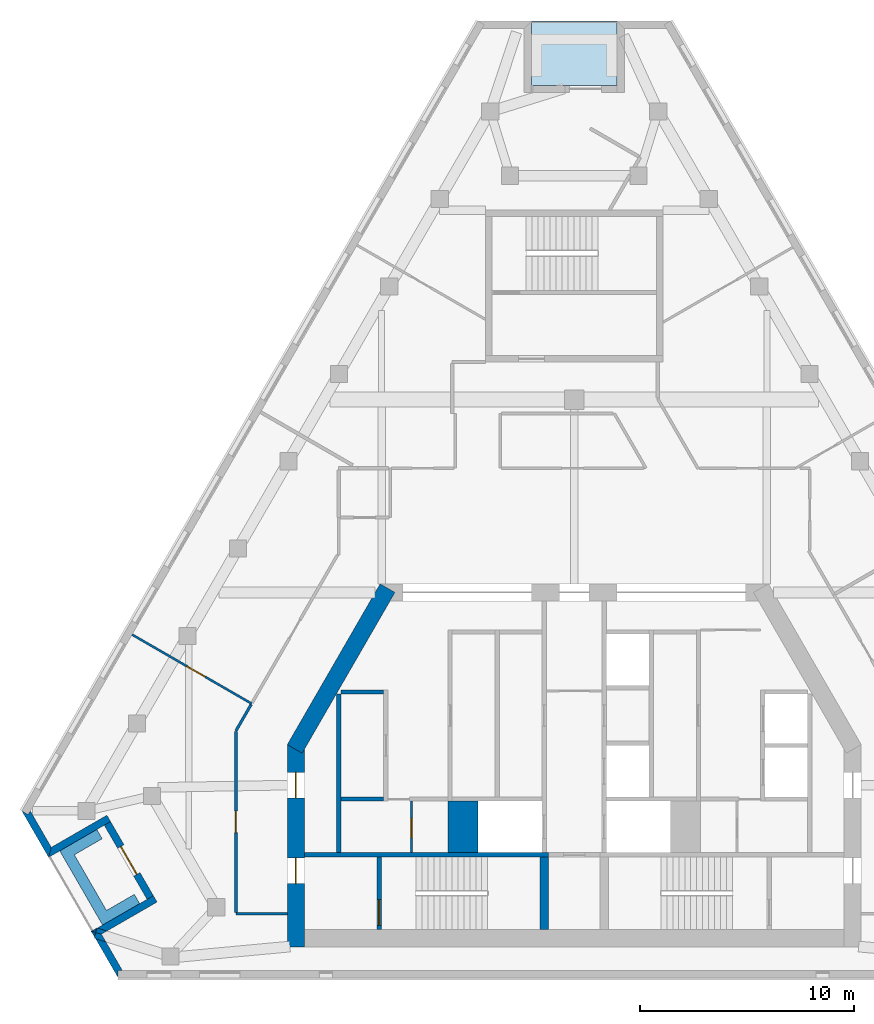
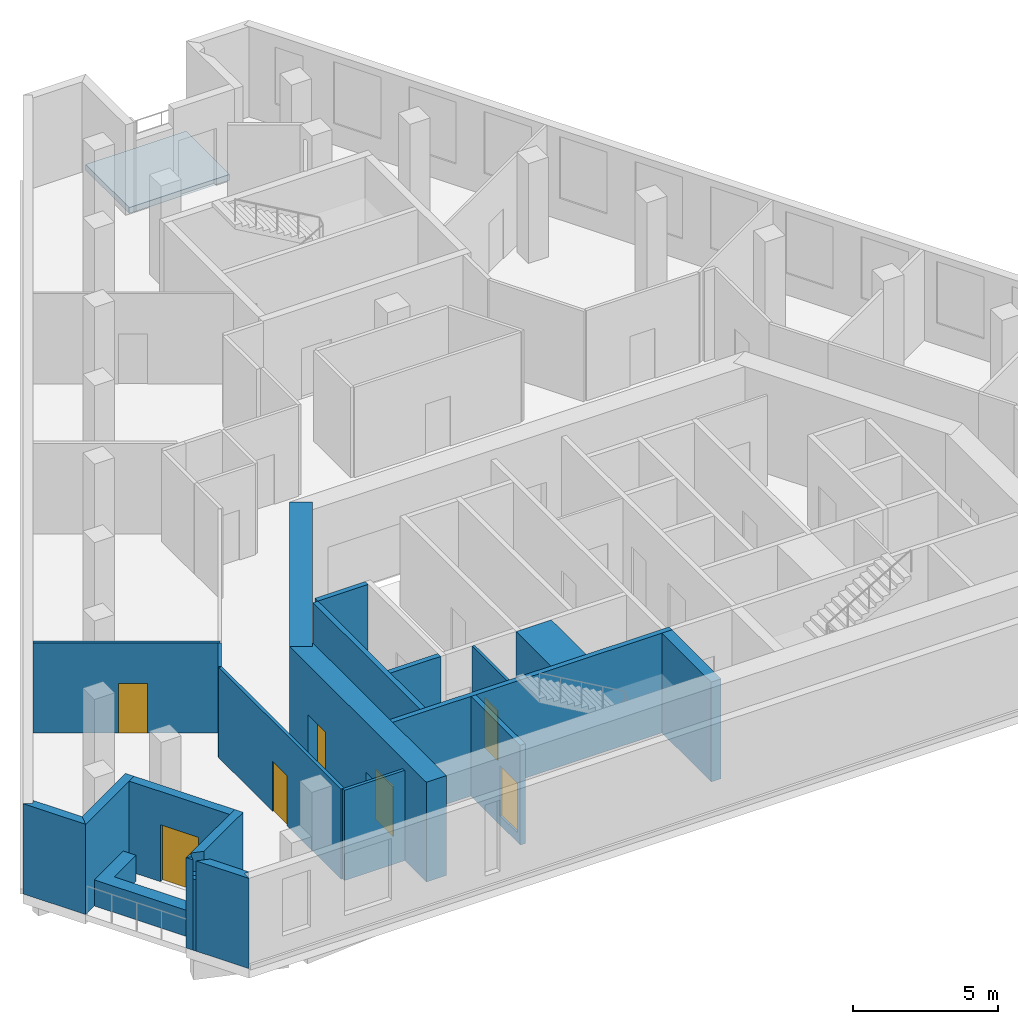
# One storey, part 2 of 8: 24 walls, 7 doors, 1 slab, 7 openings.
"""IFC4 building model written with IfcOpenShell, lengths in metres."""

import ifcopenshell
import ifcopenshell.guid

model = None  # the IFC model being written
_history = None  # IfcOwnerHistory: only IFC2X3 demands one
_inside = {}  # id of a spatial element -> (the spatial element, [elements in it])
_under = {}  # id of a project, library or spatial element -> (it, [spatial elements below it])
_declared = {}  # id of a project -> (the project, [libraries it declares])
_typed = {}  # id of a type object -> (the type object, [elements of that type])
_made_of = {}  # id of a material, layer set ... -> (it, [elements and type objects made of it])


def new_model(schema):
    """Start an empty IFC model of exactly this schema.

    Asked for "IFC4X3", IfcOpenShell would pick the latest addendum, in which some entities
    have other attributes; the version numbers below select the first issue.
    IFC2X3 requires an IfcOwnerHistory on every rooted entity: one is made here for all.
    """
    global model, _history
    if schema == "IFC4X3":
        model = ifcopenshell.file(schema_version=(4, 3, 0, 0))
    else:
        model = ifcopenshell.file(schema=schema)
    _inside.clear()
    _under.clear()
    _declared.clear()
    _typed.clear()
    _made_of.clear()
    _history = None
    if model.schema == "IFC2X3":
        org = make("IfcOrganization", Name="unknown")
        user = make(
            "IfcPersonAndOrganization",
            ThePerson=make("IfcPerson", FamilyName="unknown"),
            TheOrganization=org,
        )
        app = make(
            "IfcApplication",
            ApplicationDeveloper=org,
            Version="unknown",
            ApplicationFullName="unknown",
            ApplicationIdentifier="unknown",
        )
        _history = make(
            "IfcOwnerHistory",
            OwningUser=user,
            OwningApplication=app,
            ChangeAction="ADDED",
            CreationDate=0,
        )
    return model


def make(cls, **values):
    """One entity of the class cls with the attributes given. An attribute that is None is left unset."""
    return model.create_entity(
        cls, **{name: value for name, value in values.items() if value is not None}
    )


def rooted(cls, **values):
    """An entity with a GlobalId (a new one), such as an element, a storey or a relation."""
    return make(cls, GlobalId=ifcopenshell.guid.new(), OwnerHistory=_history, **values)


def si_unit(unit_type, name, prefix=None):
    """IfcSIUnit, for example si_unit("LENGTHUNIT", "METRE", prefix="MILLI")."""
    return make("IfcSIUnit", UnitType=unit_type, Prefix=prefix, Name=name)


def assignment(units):
    """IfcUnitAssignment: the units of a project."""
    return None if units is None else make("IfcUnitAssignment", Units=units)


def point(xyz):
    """IfcCartesianPoint."""
    return None if xyz is None else make("IfcCartesianPoint", Coordinates=xyz)


def direction(xyz):
    """IfcDirection."""
    return None if xyz is None else make("IfcDirection", DirectionRatios=xyz)


def frame(location, z_axis=None, x_axis=None):
    """IfcAxis2Placement3D, a coordinate frame: its origin and axes. An axis left out is left unset."""
    return make(
        "IfcAxis2Placement3D",
        Location=point(location),
        Axis=direction(z_axis),
        RefDirection=direction(x_axis),
    )


def frame_2d(location, x_axis=None):
    """IfcAxis2Placement2D, a coordinate frame in the plane: its origin and x axis."""
    return make(
        "IfcAxis2Placement2D", Location=point(location), RefDirection=direction(x_axis)
    )


def origin():
    """The frame at (0, 0, 0) with its axes left unset."""
    return frame((0.0, 0.0, 0.0))


def place(relative_to, where):
    """IfcLocalPlacement: puts the frame where relative to a parent placement (None: the world)."""
    return make(
        "IfcLocalPlacement", PlacementRelTo=relative_to, RelativePlacement=where
    )


def context(
    kind, dimensions, precision=None, world=None, true_north=None, identifier=None
):
    """IfcGeometricRepresentationContext, for example the 3D "Model" context."""
    return make(
        "IfcGeometricRepresentationContext",
        ContextIdentifier=identifier,
        ContextType=kind,
        CoordinateSpaceDimension=dimensions,
        Precision=precision,
        WorldCoordinateSystem=world,
        TrueNorth=true_north,
    )


def subcontext(parent, identifier, kind, view, scale=None):
    """IfcGeometricRepresentationSubContext, for example "Body" below "Model"."""
    return make(
        "IfcGeometricRepresentationSubContext",
        ContextIdentifier=identifier,
        ContextType=kind,
        ParentContext=parent,
        TargetScale=scale,
        TargetView=view,
    )


def project(units=None, contexts=None):
    """IfcProject with its units and contexts."""
    return rooted(
        "IfcProject",
        Name="project",
        RepresentationContexts=contexts,
        UnitsInContext=assignment(units),
    )


def spatial(cls, under=None, at=None, **own):
    """A site, building, storey or space (cls), placed at a placement, below another one or the project."""
    s = rooted(cls, ObjectPlacement=at, **own)
    if under is not None:
        _under.setdefault(under.id(), (under, []))[1].append(s)
    return s


def polyline(points):
    """IfcPolyline through the points."""
    return make("IfcPolyline", Points=[point(p) for p in points])


def profile(cls, at=None, kind="AREA", **sizes):
    """A parametric profile (cls). Its sizes go by their IFC names, for example OverallWidth=200.0."""
    return make(cls, ProfileType=kind, Position=at, **sizes)


def rectangle(**sizes):
    """IfcRectangleProfileDef."""
    return profile("IfcRectangleProfileDef", **sizes)


def outline(outer, holes=None, kind="AREA"):
    """IfcArbitraryClosedProfileDef: a profile drawn as a closed curve; with holes, ...WithVoids."""
    if holes is None:
        return make("IfcArbitraryClosedProfileDef", ProfileType=kind, OuterCurve=outer)
    return make(
        "IfcArbitraryProfileDefWithVoids",
        ProfileType=kind,
        OuterCurve=outer,
        InnerCurves=holes,
    )


def extrude(swept, where, along, depth):
    """IfcExtrudedAreaSolid: the profile swept, set in the frame where, extruded along a direction by depth."""
    return make(
        "IfcExtrudedAreaSolid",
        SweptArea=swept,
        Position=where,
        ExtrudedDirection=direction(along),
        Depth=depth,
    )


def shape(context_of_items, identifier, shape_type, items):
    """IfcShapeRepresentation: the items that make up one representation, for example the "Body"."""
    return make(
        "IfcShapeRepresentation",
        ContextOfItems=context_of_items,
        RepresentationIdentifier=identifier,
        RepresentationType=shape_type,
        Items=items,
    )


def material(Name=None, Category=None):
    """IfcMaterial."""
    return make("IfcMaterial", Name=Name, Category=Category)


def layer(
    of_material, thickness, ventilated=None, Name=None, Category=None, Priority=None
):
    """IfcMaterialLayer: one layer of a wall or slab, of a material (None: an air gap)."""
    return make(
        "IfcMaterialLayer",
        Material=of_material,
        LayerThickness=thickness,
        IsVentilated=ventilated,
        Name=Name,
        Category=Category,
        Priority=Priority,
    )


def layer_set(layers, Name=None):
    """IfcMaterialLayerSet."""
    return make("IfcMaterialLayerSet", MaterialLayers=layers, LayerSetName=Name)


def made_of(thing, what):
    """Note that an element or type object is made of a material, layer set ...; save() writes the relation."""
    if what is not None:
        _made_of.setdefault(what.id(), (what, []))[1].append(thing)
    return thing


def type_object(cls, material=None, **own):
    """A type object (cls), such as IfcWallType, which elements share."""
    return made_of(rooted(cls, **own), material)


def element(
    cls,
    number,
    at=None,
    inside=None,
    cuts=None,
    type_object=None,
    material=None,
    context=None,
    identifier="Body",
    shape_type=None,
    held_by="IfcProductDefinitionShape",
    body=None,
    shapes=None,
    **own,
):
    """One element of the class cls, such as IfcWall. Its Tag is "e" and its number.

    at: its placement. inside: the storey or other place that contains it. cuts: it is an
    opening in that element (IfcRelVoidsElement). A single representation is given by context,
    identifier, shape_type and body (its items); several are given by shapes. held_by: the class
    of the entity that holds the representations. save() writes the other relations.
    """
    e = rooted(cls, Tag="e%d" % number, ObjectPlacement=at, **own)
    if body is not None:
        shapes = [shape(context, identifier, shape_type, body)]
    if shapes is not None:
        e.Representation = make(held_by, Representations=shapes)
    if inside is not None:
        _inside.setdefault(inside.id(), (inside, []))[1].append(e)
    if cuts is not None:
        rooted(
            "IfcRelVoidsElement", RelatingBuildingElement=cuts, RelatedOpeningElement=e
        )
    if type_object is not None:
        _typed.setdefault(type_object.id(), (type_object, []))[1].append(e)
    return made_of(e, material)


def fill(opening, filler):
    """IfcRelFillsElement: the door or window that sits in an opening."""
    return rooted(
        "IfcRelFillsElement",
        RelatingOpeningElement=opening,
        RelatedBuildingElement=filler,
    )


def aggregate(whole, parts):
    """IfcRelAggregates: a whole, such as a stair, and the parts it consists of."""
    return rooted("IfcRelAggregates", RelatingObject=whole, RelatedObjects=parts)


def save(model, path):
    """Write the relations noted so far, then the file.

    IfcRelAggregates (storeys below a building ...), IfcRelContainedInSpatialStructure (elements
    in a storey), IfcRelDefinesByType, IfcRelAssociatesMaterial and IfcRelDeclares: one each for
    every whole, place, type object, material and project.
    """
    for whole, parts in _under.values():
        aggregate(whole, parts)
    for where, things in _inside.values():
        rooted(
            "IfcRelContainedInSpatialStructure",
            RelatedElements=things,
            RelatingStructure=where,
        )
    for kind, things in _typed.values():
        rooted("IfcRelDefinesByType", RelatedObjects=things, RelatingType=kind)
    for what, things in _made_of.values():
        rooted("IfcRelAssociatesMaterial", RelatedObjects=things, RelatingMaterial=what)
    for by, libraries in _declared.values():
        rooted("IfcRelDeclares", RelatingContext=by, RelatedDefinitions=libraries)
    model.write(path)


model = new_model("IFC4")

# Units and contexts
model_context = context("Model", 3, precision=1e-05, world=origin(), true_north=direction((0.0, 1.0)))
body_context = subcontext(model_context, "Body", "Model", "MODEL_VIEW")
ifc_project = project(units=[si_unit("LENGTHUNIT", "METRE"), si_unit("AREAUNIT", "SQUARE_METRE"), si_unit("VOLUMEUNIT", "CUBIC_METRE"), si_unit("PLANEANGLEUNIT", "RADIAN"), si_unit("MASSUNIT", "GRAM", prefix="KILO")], contexts=[model_context])

# Site, building, storey
site_placement = place(None, origin())
site = spatial("IfcSite", under=ifc_project, at=site_placement, CompositionType="ELEMENT")
building_placement = place(site_placement, origin())
building = spatial("IfcBuilding", under=site, at=building_placement, Name="Fogline Exchange Tower", CompositionType="ELEMENT")
storey_placement = place(building_placement, frame((0.0, 0.0, 270.89990234375)))
storey = spatial("IfcBuildingStorey", under=building, at=storey_placement, Name="L61", CompositionType="ELEMENT", Elevation=270.89990234375)

# Slab
ifc_material_1 = material(Name="Concrete C40", Category="concrete")
ifc_layer_1 = layer(ifc_material_1, 0.25)
ifc_layer_set_1 = layer_set([ifc_layer_1], Name="DK1")
slab_type = type_object("IfcSlabType", Name="DK1", PredefinedType="FLOOR", material=ifc_layer_set_1)
slab_placement = place(storey_placement, frame((0.0, 0.0, -0.25)))
element("IfcSlab", 1, at=slab_placement, inside=storey, type_object=slab_type, Name="Balcony L61 N", PredefinedType="FLOOR", context=body_context, shape_type="SweptSolid", body=[
    extrude(outline(polyline([(2.0, 44.681640625), (-2.0, 44.681640625), (-2.0, 41.681640625), (2.0, 41.681640625), (2.0, 44.681640625)])), origin(), (0.0, 0.0, 1.0), 0.25),
])

# Wall, opening, door
ifc_material_2 = material(Name="Blockwork partition", Category="masonry")
ifc_layer_2 = layer(ifc_material_2, 0.10009765625)
ifc_layer_set_2 = layer_set([ifc_layer_2], Name="CW10")
wall_type_1 = type_object("IfcWallType", Name="CW10", PredefinedType="PARTITIONING", material=ifc_layer_set_2)
wall_1_placement = place(storey_placement, frame((-7.60009765625, 5.85009765625, 0.0), z_axis=(0.0, 0.0, 1.0), x_axis=(0.0, 1.0, 0.0)))
wall_1 = element("IfcWall", 2, at=wall_1_placement, inside=storey, type_object=wall_type_1, Name="WC partition", PredefinedType="PARTITIONING", context=body_context, shape_type="SweptSolid", body=[
    extrude(rectangle(XDim=2.39990234375, YDim=0.10009765625, at=frame_2d((1.199951171875, 0.0))), origin(), (0.0, 0.0, 1.0), 3.800048828125),
])
opening_1_placement = place(wall_1_placement, frame((0.699951171875, 0.0, 0.0)))
opening_1 = element("IfcOpeningElement", 3, at=opening_1_placement, cuts=wall_1, Name="Opening T19-C008", PredefinedType="OPENING", context=body_context, shape_type="SweptSolid", body=[
    extrude(rectangle(XDim=0.89990234375, YDim=2.10009765625, at=frame_2d((0.449951171875, 1.050048828125))), frame((0.0, 0.06005859375, 0.0), z_axis=(0.0, -1.0, 0.0), x_axis=(1.0, 0.0, 0.0)), (0.0, 0.0, 1.0), 0.1201171875),
])
ifc_material_3 = material(Name="Steel and timber fire door", Category="steel")
door_type_1 = type_object("IfcDoorType", Name="D-CS1", OperationType="SINGLE_SWING_RIGHT", PredefinedType="DOOR", material=ifc_material_3)
door_1_placement = place(opening_1_placement, frame((0.89990234375, 0.0, 0.0), z_axis=(0.0, 0.0, 1.0), x_axis=(-1.0, 0.0, 0.0)))
door_1 = element("IfcDoor", 4, at=door_1_placement, inside=storey, type_object=door_type_1, Name="Door to Cleaner's Store", OperationType="SINGLE_SWING_RIGHT", OverallHeight=2.10009765625, OverallWidth=0.89990234375, PredefinedType="DOOR", context=body_context, shape_type="SweptSolid", body=[
    extrude(rectangle(XDim=0.89990234375, YDim=2.10009765625, at=frame_2d((0.449951171875, 1.050048828125))), frame((0.0, 0.02490234375, 0.0), z_axis=(0.0, -1.0, 0.0), x_axis=(1.0, 0.0, 0.0)), (0.0, 0.0, 1.0), 0.050048828125),
])
fill(opening_1, door_1)

# Walls
ifc_material_4 = material(Name="Concrete C60", Category="concrete")
ifc_layer_3 = layer(ifc_material_4, 1.39990234375)
ifc_layer_set_3 = layer_set([ifc_layer_3], Name="CW140")
wall_type_2 = type_object("IfcWallType", Name="CW140", PredefinedType="SOLIDWALL", material=ifc_layer_set_3)
wall_2_placement = place(storey_placement, frame((-5.199951171875, 5.85009765625, -0.39990234375), z_axis=(0.0, 0.0, 1.0), x_axis=(0.0, 1.0, 0.0)))
element("IfcWall", 5, at=wall_2_placement, inside=storey, type_object=wall_type_2, Name="Lift shaft block wall", PredefinedType="SOLIDWALL", context=body_context, shape_type="SweptSolid", body=[
    extrude(rectangle(XDim=2.39990234375, YDim=1.39990234375, at=frame_2d((1.199951171875, 0.0))), origin(), (0.0, 0.0, 1.0), 4.199951171875),
])
ifc_layer_4 = layer(ifc_material_1, 0.199951171875)
ifc_layer_set_4 = layer_set([ifc_layer_4], Name="CW20")
wall_type_3 = type_object("IfcWallType", Name="CW20", PredefinedType="SOLIDWALL", material=ifc_layer_set_4)
wall_3_placement = place(storey_placement, frame((-11.0, 5.85009765625, 0.0), z_axis=(0.0, 0.0, 1.0), x_axis=(0.0, 1.0, 0.0)))
element("IfcWall", 6, at=wall_3_placement, inside=storey, type_object=wall_type_3, Name="Service room wall", PredefinedType="SOLIDWALL", context=body_context, shape_type="SweptSolid", body=[
    extrude(rectangle(XDim=7.39990234375, YDim=0.199951171875, at=frame_2d((3.699951171875, 0.0))), origin(), (0.0, 0.0, 1.0), 3.800048828125),
])
ifc_layer_5 = layer(ifc_material_1, 0.199951171875)
ifc_layer_set_5 = layer_set([ifc_layer_5], Name="CW20R")
wall_type_4 = type_object("IfcWallType", Name="CW20R", PredefinedType="SOLIDWALL", material=ifc_layer_set_5)
wall_4_placement = place(storey_placement, frame((-12.60009765625, 5.75, -0.39990234375), z_axis=(0.0, 0.0, 1.0), x_axis=(1.0, 0.0, 0.0)))
element("IfcWall", 7, at=wall_4_placement, inside=storey, type_object=wall_type_4, Name="Stair enclosure wall", PredefinedType="SOLIDWALL", context=body_context, shape_type="SweptSolid", body=[
    extrude(rectangle(XDim=11.400146484375, YDim=0.199951171875, at=frame_2d((5.7001953125, 0.0))), origin(), (0.0, 0.0, 1.0), 4.199951171875),
])

# Wall, opening, door
wall_5_placement = place(storey_placement, frame((-9.10009765625, 2.25, -0.39990234375), z_axis=(0.0, 0.0, 1.0), x_axis=(0.0, 1.0, 0.0)))
wall_5 = element("IfcWall", 8, at=wall_5_placement, inside=storey, type_object=wall_type_4, Name="Stair enclosure wall", PredefinedType="SOLIDWALL", context=body_context, shape_type="SweptSolid", body=[
    extrude(rectangle(XDim=3.39990234375, YDim=0.199951171875, at=frame_2d((1.699951171875, 0.0))), origin(), (0.0, 0.0, 1.0), 4.199951171875),
])
opening_2_placement = place(wall_5_placement, frame((0.199951171875, 0.0, 0.39990234375)))
opening_2 = element("IfcOpeningElement", 9, at=opening_2_placement, cuts=wall_5, Name="Opening T19-C010", PredefinedType="OPENING", context=body_context, shape_type="SweptSolid", body=[
    extrude(rectangle(XDim=1.199951171875, YDim=2.10009765625, at=frame_2d((0.60009765625, 1.050048828125))), frame((0.0, 0.10986328125, 0.0), z_axis=(0.0, -1.0, 0.0), x_axis=(1.0, 0.0, 0.0)), (0.0, 0.0, 1.0), 0.219970703125),
])
door_type_2 = type_object("IfcDoorType", Name="D-ST1", OperationType="SINGLE_SWING_LEFT", PredefinedType="DOOR", material=ifc_material_3)
door_2_placement = place(opening_2_placement, frame((1.199951171875, 0.0, 0.0), z_axis=(0.0, 0.0, 1.0), x_axis=(-1.0, 0.0, 0.0)))
door_2 = element("IfcDoor", 10, at=door_2_placement, inside=storey, type_object=door_type_2, Name="Stair door ST1", OperationType="SINGLE_SWING_RIGHT", OverallHeight=2.10009765625, OverallWidth=1.199951171875, PredefinedType="DOOR", context=body_context, shape_type="SweptSolid", body=[
    extrude(rectangle(XDim=1.199951171875, YDim=2.10009765625, at=frame_2d((0.60009765625, 1.050048828125))), frame((0.0, 0.02490234375, 0.0), z_axis=(0.0, -1.0, 0.0), x_axis=(1.0, 0.0, 0.0)), (0.0, 0.0, 1.0), 0.050048828125),
])
fill(opening_2, door_2)

# Walls
ifc_layer_6 = layer(ifc_material_1, 0.199951171875)
ifc_layer_set_6 = layer_set([ifc_layer_6], Name="CW20S")
wall_type_5 = type_object("IfcWallType", Name="CW20S", PredefinedType="SOLIDWALL", material=ifc_layer_set_6)
for number, where, z_axis, x_axis, name in (
    (11, (-10.89990234375, 8.35009765625, -0.39990234375), (0.0, 0.0, 1.0), (1.0, 0.0, 0.0), "Lift shaft wall"),
    (12, (-10.89990234375, 13.35009765625, -0.39990234375), (0.0, 0.0, 1.0), (1.0, 0.0, 0.0), "Lift shaft wall"),
):
    element("IfcWall", number, at=place(storey_placement, frame(where, z_axis=z_axis, x_axis=x_axis)), inside=storey, type_object=wall_type_5, Name=name, PredefinedType="SOLIDWALL", context=body_context, shape_type="SweptSolid", body=[
        extrude(rectangle(XDim=2.0, YDim=0.199951171875, at=frame_2d((1.0, 0.0))), origin(), (0.0, 0.0, 1.0), 4.199951171875),
    ])
ifc_layer_7 = layer(ifc_material_1, 0.39990234375)
ifc_layer_set_7 = layer_set([ifc_layer_7], Name="CW40R")
wall_type_6 = type_object("IfcWallType", Name="CW40R", PredefinedType="SOLIDWALL", material=ifc_layer_set_7)
wall_6_placement = place(storey_placement, frame((-1.39990234375, 2.25, -0.39990234375), z_axis=(0.0, 0.0, 1.0), x_axis=(0.0, 1.0, 0.0)))
element("IfcWall", 13, at=wall_6_placement, inside=storey, type_object=wall_type_6, Name="Stair and lift shaft wall", PredefinedType="SOLIDWALL", context=body_context, shape_type="SweptSolid", body=[
    extrude(rectangle(XDim=3.39990234375, YDim=0.39990234375, at=frame_2d((1.699951171875, 0.0))), origin(), (0.0, 0.0, 1.0), 4.199951171875),
])
ifc_material_5 = material(Name="Brick masonry", Category="masonry")
ifc_layer_8 = layer(ifc_material_5, 0.340087890625)
ifc_layer_set_8 = layer_set([ifc_layer_8], Name="FW1")
wall_type_7 = type_object("IfcWallType", Name="FW1", PredefinedType="SOLIDWALL", material=ifc_layer_set_8)
wall_7_placement = place(storey_placement, origin())
element("IfcWall", 14, at=wall_7_placement, inside=storey, type_object=wall_type_7, Name="Brick wall L61 SW-c1", PredefinedType="SOLIDWALL", context=body_context, shape_type="SweptSolid", body=[
    extrude(outline(polyline([(-24.546875, 5.6279296875), (-25.798095703125, 7.794921875), (-25.797607421875, 7.79541015625), (-25.502685546875, 7.625), (-25.404296875, 7.79541015625), (-24.421875, 6.09375), (-24.546630859375, 5.6279296875), (-24.546875, 5.6279296875)])), origin(), (0.0, 0.0, 1.0), 3.800048828125),
])
wall_8_placement = place(storey_placement, origin())
element("IfcWall", 15, at=wall_8_placement, inside=storey, type_object=wall_type_7, Name="Brick wall L61 SW-s1", PredefinedType="SOLIDWALL", context=body_context, shape_type="SweptSolid", body=[
    extrude(outline(polyline([(-21.82421875, 7.594482421875), (-21.653564453125, 7.298828125), (-21.948486328125, 7.128662109375), (-24.547607421875, 5.628173828125), (-24.5478515625, 5.62841796875), (-24.423095703125, 6.093994140625), (-21.82421875, 7.594482421875)])), origin(), (0.0, 0.0, 1.0), 3.800048828125),
])

# Wall, opening, door
wall_9_placement = place(storey_placement, frame((-21.8017578125, 7.214111328125, 0.0), z_axis=(0.0, 0.0, 1.0), x_axis=(0.49999894854, -0.866026010844, 0.0)))
wall_9 = element("IfcWall", 16, at=wall_9_placement, inside=storey, type_object=wall_type_7, Name="Brick wall L61 SW-bk", PredefinedType="SOLIDWALL", context=body_context, shape_type="SweptSolid", body=[
    extrude(rectangle(XDim=4.0, YDim=0.340087890625, at=frame_2d((2.0, 0.0))), origin(), (0.0, 0.0, 1.0), 3.800048828125),
])
opening_3_placement = place(wall_9_placement, frame((1.25, 0.0, 0.0)))
opening_3 = element("IfcOpeningElement", 17, at=opening_3_placement, cuts=wall_9, Name="Opening T19-E021", PredefinedType="OPENING", context=body_context, shape_type="SweptSolid", body=[
    extrude(rectangle(XDim=1.5, YDim=2.39990234375, at=frame_2d((0.75, 1.199951171875))), frame((0.0, 0.18017578125, 0.0), z_axis=(0.0, -1.0, 0.0), x_axis=(1.0, 0.0, 0.0)), (0.0, 0.0, 1.0), 0.360107421875),
])
ifc_material_6 = material(Name="Aluminium and glass", Category="aluminium")
door_type_3 = type_object("IfcDoorType", Name="ED4", OperationType="SINGLE_SWING_LEFT", PredefinedType="DOOR", material=ifc_material_6)
door_3_placement = place(opening_3_placement, frame((1.5, 0.0, 0.0), z_axis=(0.0, 0.0, 1.0), x_axis=(-1.0, 0.0, 0.0)))
door_3 = element("IfcDoor", 18, at=door_3_placement, inside=storey, type_object=door_type_3, Name="Balcony door L61 SW", OperationType="DOUBLE_DOOR_SINGLE_SWING", OverallHeight=2.39990234375, OverallWidth=1.5, PredefinedType="DOOR", context=body_context, shape_type="SweptSolid", body=[
    extrude(rectangle(XDim=1.5, YDim=2.39990234375, at=frame_2d((0.75, 1.199951171875))), frame((0.0, 0.02490234375, 0.0), z_axis=(0.0, -1.0, 0.0), x_axis=(1.0, 0.0, 0.0)), (0.0, 0.0, 1.0), 0.050048828125),
])
fill(opening_3, door_3)

# Walls
wall_10_placement = place(storey_placement, origin())
element("IfcWall", 19, at=wall_10_placement, inside=storey, type_object=wall_type_7, Name="Brick wall L61 SW-s2", PredefinedType="SOLIDWALL", context=body_context, shape_type="SweptSolid", body=[
    extrude(outline(polyline([(-22.26953125, 2.325927734375), (-21.826416015625, 2.187744140625), (-22.08251953125, 2.0400390625), (-22.357177734375, 2.113525390625), (-22.295654296875, 2.310791015625), (-22.26953125, 2.325927734375)])), origin(), (0.0, 0.0, 1.0), 3.0),
])
wall_11_placement = place(storey_placement, origin())
element("IfcWall", 20, at=wall_11_placement, inside=storey, type_object=wall_type_7, Name="Brick wall L61 SW-s2", PredefinedType="SOLIDWALL", context=body_context, shape_type="SweptSolid", body=[
    extrude(outline(polyline([(-22.295654296875, 2.310791015625), (-22.357177734375, 2.113525390625), (-22.548095703125, 2.164794921875), (-22.548095703125, 2.1650390625), (-22.295654296875, 2.310791015625)])), origin(), (0.0, 0.0, 1.0), 3.800048828125),
])
wall_12_placement = place(storey_placement, origin())
element("IfcWall", 21, at=wall_12_placement, inside=storey, type_object=wall_type_7, Name="Brick wall L61 SW-s2", PredefinedType="SOLIDWALL", context=body_context, shape_type="SweptSolid", body=[
    extrude(outline(polyline([(-19.94921875, 3.66552734375), (-19.654296875, 3.8359375), (-19.483642578125, 3.540283203125), (-21.826416015625, 2.187744140625), (-22.26953125, 2.325927734375), (-19.94921875, 3.66552734375)])), origin(), (0.0, 0.0, 1.0), 3.800048828125),
])
wall_13_placement = place(storey_placement, origin())
element("IfcWall", 22, at=wall_13_placement, inside=storey, type_object=wall_type_7, Name="Brick wall L61 SW-c2", PredefinedType="SOLIDWALL", context=body_context, shape_type="SweptSolid", body=[
    extrude(outline(polyline([(-22.41357421875, 1.932861328125), (-22.35693359375, 2.11474609375), (-22.08203125, 2.041015625), (-21.872802734375, 1.678466796875), (-22.353271484375, 1.828369140625), (-22.41357421875, 1.932861328125)])), origin(), (0.0, 0.0, 1.0), 3.0),
])
wall_14_placement = place(storey_placement, origin())
element("IfcWall", 23, at=wall_14_placement, inside=storey, type_object=wall_type_7, Name="Brick wall L61 SW-c2", PredefinedType="SOLIDWALL", context=body_context, shape_type="SweptSolid", body=[
    extrude(outline(polyline([(-21.29638671875, 0.33935546875), (-21.29638671875, -0.0009765625), (-21.296875, -0.001220703125), (-22.353271484375, 1.828369140625), (-21.872802734375, 1.678466796875), (-21.099609375, 0.33935546875), (-21.29638671875, 0.33935546875)])), origin(), (0.0, 0.0, 1.0), 3.800048828125),
])
wall_15_placement = place(storey_placement, origin())
element("IfcWall", 24, at=wall_15_placement, inside=storey, type_object=wall_type_7, Name="Brick wall L61 SW-c2", PredefinedType="SOLIDWALL", context=body_context, shape_type="SweptSolid", body=[
    extrude(outline(polyline([(-22.548095703125, 2.165771484375), (-22.5478515625, 2.166015625), (-22.35693359375, 2.11474609375), (-22.41357421875, 1.932861328125), (-22.548095703125, 2.165771484375)])), origin(), (0.0, 0.0, 1.0), 3.800048828125),
])
ifc_material_7 = material(Name="Concrete C30", Category="concrete")
ifc_layer_9 = layer(ifc_material_7, 0.199951171875)
ifc_layer_set_9 = layer_set([ifc_layer_9], Name="PL1")
wall_type_8 = type_object("IfcWallType", Name="PL1", PredefinedType="USERDEFINED", material=ifc_layer_set_9)
wall_16_placement = place(storey_placement, origin())
element("IfcWall", 25, at=wall_16_placement, inside=storey, type_object=wall_type_8, Name="PLANTER balcony L61 SW", ObjectType="PLANTER", PredefinedType="USERDEFINED", context=body_context, shape_type="SweptSolid", body=[
    extrude(outline(polyline([(-20.54541015625, 3.898193359375), (-21.84423828125, 3.148193359375), (-23.34423828125, 5.74609375), (-22.04541015625, 6.49609375), (-22.29541015625, 6.92919921875), (-24.02734375, 5.92919921875), (-23.77734375, 5.49609375), (-22.02734375, 2.465087890625), (-21.59423828125, 2.715087890625), (-21.59423828125, 2.715087890625), (-20.29541015625, 3.465087890625), (-20.54541015625, 3.898193359375)])), origin(), (0.0, 0.0, 1.0), 1.10009765625),
])

# Wall, opening, door
ifc_material_8 = material(Name="Plasterboard partition, 2 layers each side on steel studs", Category="steel")
ifc_layer_10 = layer(ifc_material_8, 0.10009765625)
ifc_layer_set_10 = layer_set([ifc_layer_10], Name="PW1")
wall_type_9 = type_object("IfcWallType", Name="PW1", PredefinedType="PARTITIONING", material=ifc_layer_set_10)
wall_17_placement = place(storey_placement, frame((-15.06591796875, 12.80615234375, 0.0), z_axis=(0.0, 0.0, 1.0), x_axis=(-0.866025414547, 0.499999981359, 0.0)))
wall_17 = element("IfcWall", 26, at=wall_17_placement, inside=storey, type_object=wall_type_9, Name="wall-L61-W038", PredefinedType="PARTITIONING", context=body_context, shape_type="SweptSolid", body=[
    extrude(rectangle(XDim=6.447265625, YDim=0.10009765625, at=frame_2d((3.2236328125, 0.0))), origin(), (0.0, 0.0, 1.0), 3.800048828125),
])
opening_4_placement = place(wall_17_placement, frame((2.498779296875, 0.0, 0.0)))
opening_4 = element("IfcOpeningElement", 27, at=opening_4_placement, cuts=wall_17, Name="Opening T19-D013", PredefinedType="OPENING", context=body_context, shape_type="SweptSolid", body=[
    extrude(rectangle(XDim=1.0, YDim=2.10009765625, at=frame_2d((0.5, 1.050048828125))), frame((0.0, 0.06005859375, 0.0), z_axis=(0.0, -1.0, 0.0), x_axis=(1.0, 0.0, 0.0)), (0.0, 0.0, 1.0), 0.1201171875),
])
ifc_material_9 = material(Name="Timber door leaf with steel frame", Category="steel")
door_type_4 = type_object("IfcDoorType", Name="D1", OperationType="SINGLE_SWING_LEFT", PredefinedType="DOOR", material=ifc_material_9)
door_4_placement = place(opening_4_placement, frame((1.0, 0.0, 0.0), z_axis=(0.0, 0.0, 1.0), x_axis=(-1.0, 0.0, 0.0)))
door_4 = element("IfcDoor", 28, at=door_4_placement, inside=storey, type_object=door_type_4, Name="door-L61-D013", OperationType="SINGLE_SWING_RIGHT", OverallHeight=2.10009765625, OverallWidth=1.0, PredefinedType="DOOR", context=body_context, shape_type="SweptSolid", body=[
    extrude(rectangle(XDim=1.0, YDim=2.10009765625, at=frame_2d((0.5, 1.050048828125))), frame((0.0, 0.02490234375, 0.0), z_axis=(0.0, -1.0, 0.0), x_axis=(1.0, 0.0, 0.0)), (0.0, 0.0, 1.0), 0.050048828125),
])
fill(opening_4, door_4)

# Wall
ifc_material_10 = material(Name="Plasterboard corridor partition with mineral wool, 2 layers each side")
ifc_layer_11 = layer(ifc_material_10, 0.125)
ifc_layer_set_11 = layer_set([ifc_layer_11], Name="PW2")
wall_type_10 = type_object("IfcWallType", Name="PW2", PredefinedType="PARTITIONING", material=ifc_layer_set_11)
wall_18_placement = place(storey_placement, frame((-13.39990234375, 3.0, 0.0), z_axis=(0.0, 0.0, 1.0), x_axis=(-1.0, 0.0, 0.0)))
element("IfcWall", 29, at=wall_18_placement, inside=storey, type_object=wall_type_10, Name="wall-L61-W015", PredefinedType="PARTITIONING", context=body_context, shape_type="SweptSolid", body=[
    extrude(rectangle(XDim=2.400146484375, YDim=0.125, at=frame_2d((1.2001953125, 0.0))), origin(), (0.0, 0.0, 1.0), 3.800048828125),
])

# Wall, opening, door
wall_19_placement = place(storey_placement, frame((-15.800048828125, 3.0625, 0.0), z_axis=(0.0, 0.0, 1.0), x_axis=(0.0, 1.0, 0.0)))
wall_19 = element("IfcWall", 30, at=wall_19_placement, inside=storey, type_object=wall_type_10, Name="wall-L61-W016", PredefinedType="PARTITIONING", context=body_context, shape_type="SweptSolid", body=[
    extrude(rectangle(XDim=8.44140625, YDim=0.125, at=frame_2d((4.220703125, 0.0))), origin(), (0.0, 0.0, 1.0), 3.800048828125),
])
opening_5_placement = place(wall_19_placement, frame((3.720703125, 0.0, 0.0)))
opening_5 = element("IfcOpeningElement", 31, at=opening_5_placement, cuts=wall_19, Name="Opening T19-D009", PredefinedType="OPENING", context=body_context, shape_type="SweptSolid", body=[
    extrude(rectangle(XDim=1.0, YDim=2.10009765625, at=frame_2d((0.5, 1.050048828125))), frame((0.0, 0.072509765625, 0.0), z_axis=(0.0, -1.0, 0.0), x_axis=(1.0, 0.0, 0.0)), (0.0, 0.0, 1.0), 0.14501953125),
])
ifc_material_11 = material(Name="Fire-rated timber door leaf with steel frame", Category="steel")
door_type_5 = type_object("IfcDoorType", Name="D3", OperationType="SINGLE_SWING_LEFT", PredefinedType="DOOR", material=ifc_material_11)
door_5_placement = place(opening_5_placement, origin())
door_5 = element("IfcDoor", 32, at=door_5_placement, inside=storey, type_object=door_type_5, Name="door-L61-D009", OperationType="SINGLE_SWING_LEFT", OverallHeight=2.10009765625, OverallWidth=1.0, PredefinedType="DOOR", context=body_context, shape_type="SweptSolid", body=[
    extrude(rectangle(XDim=1.0, YDim=2.10009765625, at=frame_2d((0.5, 1.050048828125))), frame((0.0, 0.02490234375, 0.0), z_axis=(0.0, -1.0, 0.0), x_axis=(1.0, 0.0, 0.0)), (0.0, 0.0, 1.0), 0.050048828125),
])
fill(opening_5, door_5)

# Walls
wall_20_placement = place(storey_placement, frame((-15.800048828125, 11.534912109375, 0.0), z_axis=(0.0, 0.0, 1.0), x_axis=(0.500010702031, 0.866019224876, 0.0)))
element("IfcWall", 33, at=wall_20_placement, inside=storey, type_object=wall_type_10, Name="wall-L61-W017", PredefinedType="PARTITIONING", context=body_context, shape_type="SweptSolid", body=[
    extrude(rectangle(XDim=1.41748046875, YDim=0.125, at=frame_2d((0.708740234375, 0.0))), origin(), (0.0, 0.0, 1.0), 3.800048828125),
])
ifc_material_12 = material(Name="Concrete C50", Category="concrete")
ifc_layer_12 = layer(ifc_material_12, 0.800048828125)
ifc_layer_set_12 = layer_set([ifc_layer_12], Name="SW04")
wall_type_11 = type_object("IfcWallType", Name="SW04", PredefinedType="SHEAR", material=ifc_layer_set_12)
wall_21_placement = place(storey_placement, frame((-8.71875, 18.199951171875, 0.0), z_axis=(0.0, 0.0, 1.0), x_axis=(-0.500015780397, -0.866016292776, 0.0)))
element("IfcWall", 34, at=wall_21_placement, inside=storey, type_object=wall_type_11, Name="L61-W905", PredefinedType="SHEAR", context=body_context, shape_type="SweptSolid", body=[
    extrude(rectangle(XDim=8.669677734375, YDim=0.800048828125, at=frame_2d((4.3349609375, 0.0))), origin(), (0.0, 0.0, 1.0), 4.2001953125),
])

# Wall, openings, doors
wall_22_placement = place(storey_placement, frame((-13.0, 10.891845703125, 0.0), z_axis=(0.0, 0.0, 1.0), x_axis=(0.0, -1.0, 0.0)))
wall_22 = element("IfcWall", 35, at=wall_22_placement, inside=storey, type_object=wall_type_11, Name="L61-W906", PredefinedType="SHEAR", context=body_context, shape_type="SweptSolid", body=[
    extrude(rectangle(XDim=9.44189453125, YDim=0.800048828125, at=frame_2d((4.720947265625, 0.0))), origin(), (0.0, 0.0, 1.0), 4.2001953125),
])
opening_6_placement = place(wall_22_placement, frame((5.291748046875, 0.0, 0.0)))
opening_6 = element("IfcOpeningElement", 36, at=opening_6_placement, cuts=wall_22, Name="Opening T19-C009", PredefinedType="OPENING", context=body_context, shape_type="SweptSolid", body=[
    extrude(rectangle(XDim=1.199951171875, YDim=2.10009765625, at=frame_2d((0.60009765625, 1.050048828125))), frame((0.0, 0.41015625, 0.0), z_axis=(0.0, -1.0, 0.0), x_axis=(1.0, 0.0, 0.0)), (0.0, 0.0, 1.0), 0.820068359375),
])
opening_7_placement = place(wall_22_placement, frame((1.291748046875, 0.0, 0.0)))
opening_7 = element("IfcOpeningElement", 37, at=opening_7_placement, cuts=wall_22, Name="Opening T19-C011", PredefinedType="OPENING", context=body_context, shape_type="SweptSolid", body=[
    extrude(rectangle(XDim=1.199951171875, YDim=2.10009765625, at=frame_2d((0.60009765625, 1.050048828125))), frame((0.0, 0.41015625, 0.0), z_axis=(0.0, -1.0, 0.0), x_axis=(1.0, 0.0, 0.0)), (0.0, 0.0, 1.0), 0.820068359375),
])
door_type_6 = type_object("IfcDoorType", Name="D-FR1", OperationType="SINGLE_SWING_RIGHT", PredefinedType="DOOR", material=ifc_material_3)
door_6_placement = place(opening_6_placement, origin())
door_6 = element("IfcDoor", 38, at=door_6_placement, inside=storey, type_object=door_type_6, Name="Front room door ST1", OperationType="SINGLE_SWING_LEFT", OverallHeight=2.10009765625, OverallWidth=1.199951171875, PredefinedType="DOOR", context=body_context, shape_type="SweptSolid", body=[
    extrude(rectangle(XDim=1.199951171875, YDim=2.10009765625, at=frame_2d((0.60009765625, 1.050048828125))), frame((0.0, 0.02490234375, 0.0), z_axis=(0.0, -1.0, 0.0), x_axis=(1.0, 0.0, 0.0)), (0.0, 0.0, 1.0), 0.050048828125),
])
fill(opening_6, door_6)
door_type_7 = type_object("IfcDoorType", Name="D-SV1", OperationType="SINGLE_SWING_LEFT", PredefinedType="DOOR", material=ifc_material_3)
door_7_placement = place(opening_7_placement, origin())
door_7 = element("IfcDoor", 39, at=door_7_placement, inside=storey, type_object=door_type_7, Name="Service door W", OperationType="SINGLE_SWING_LEFT", OverallHeight=2.10009765625, OverallWidth=1.199951171875, PredefinedType="DOOR", context=body_context, shape_type="SweptSolid", body=[
    extrude(rectangle(XDim=1.199951171875, YDim=2.10009765625, at=frame_2d((0.60009765625, 1.050048828125))), frame((0.0, 0.02490234375, 0.0), z_axis=(0.0, -1.0, 0.0), x_axis=(1.0, 0.0, 0.0)), (0.0, 0.0, 1.0), 0.050048828125),
])
fill(opening_7, door_7)

save(model, "model.ifc")
